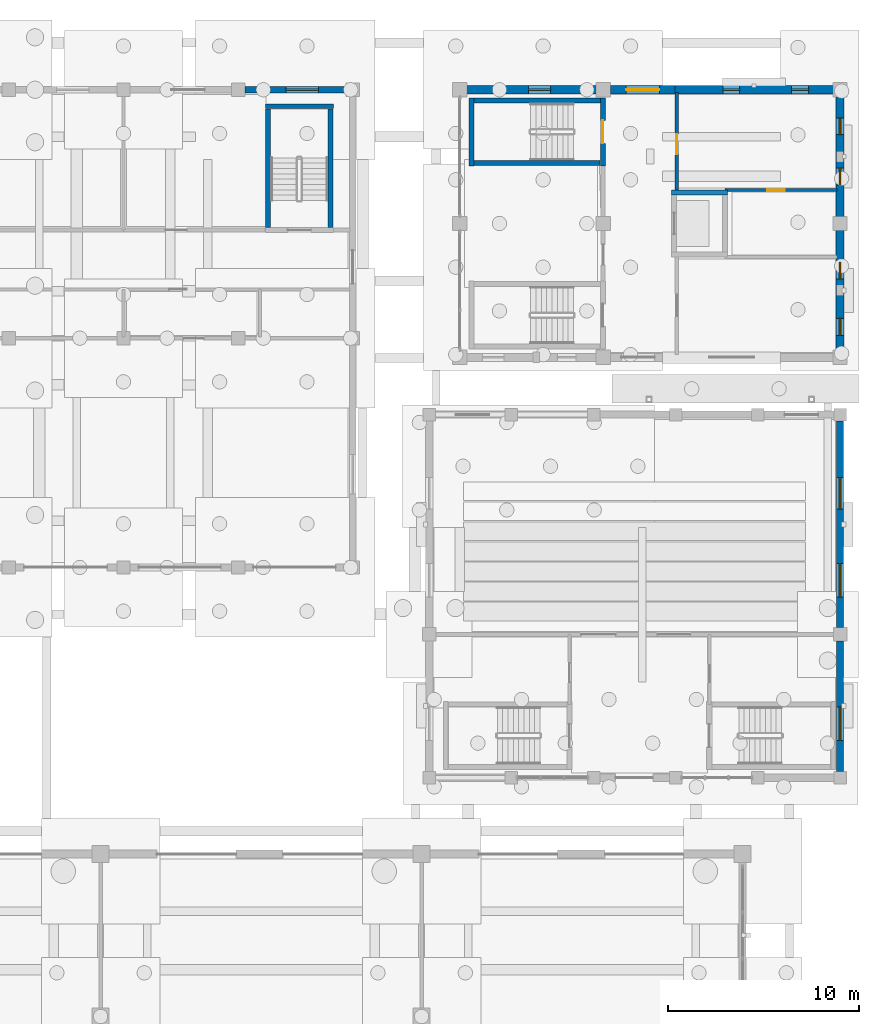
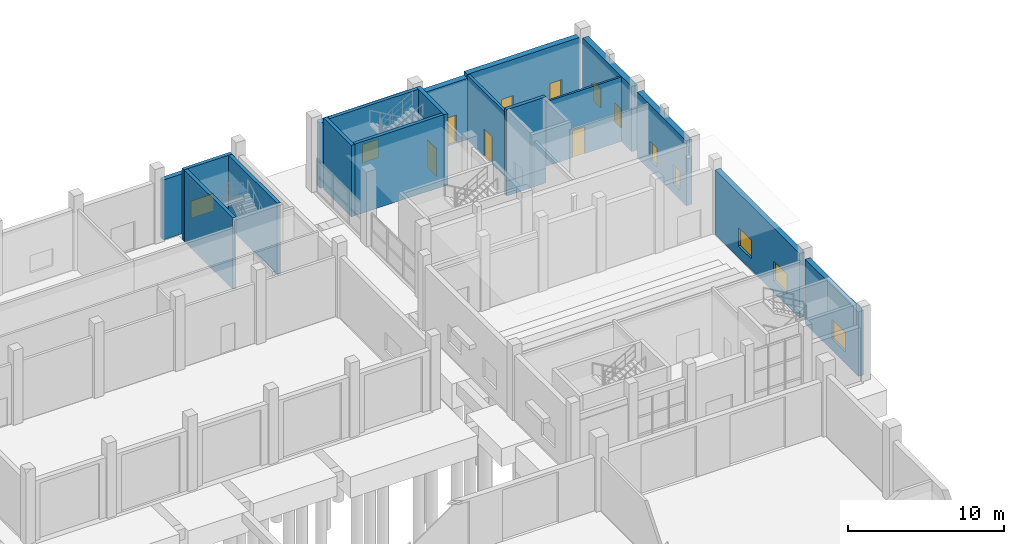
# One storey, part 44 of 60: 19 walls, 11 windows, 4 doors, 15 openings.
"""IFC4 building model written with IfcOpenShell, lengths in metres."""

from ifc_helpers import new_model, si_unit, direction, frame, frame_2d, origin, place, context, subcontext, project, spatial, rectangle, extrude, material, layer, layer_set, type_object, element, fill, save


model = new_model("IFC4")

# Units and contexts
model_context = context("Model", 3, precision=1e-05, world=origin(), true_north=direction((0.0, 1.0)))
body_context = subcontext(model_context, "Body", "Model", "MODEL_VIEW")
ifc_project = project(units=[si_unit("LENGTHUNIT", "METRE"), si_unit("AREAUNIT", "SQUARE_METRE"), si_unit("VOLUMEUNIT", "CUBIC_METRE"), si_unit("PLANEANGLEUNIT", "RADIAN"), si_unit("MASSUNIT", "GRAM", prefix="KILO")], contexts=[model_context])

# Site, building, storey
site_placement = place(None, origin())
site = spatial("IfcSite", under=ifc_project, at=site_placement, CompositionType="ELEMENT")
building_placement = place(site_placement, origin())
building = spatial("IfcBuilding", under=site, at=building_placement, Name="Trellovar Central Fire Station", CompositionType="ELEMENT")
storey_placement = place(building_placement, origin())
storey = spatial("IfcBuildingStorey", under=building, at=storey_placement, Name="L01", CompositionType="ELEMENT", Elevation=0.0)

# Wall, openings, windows
ifc_material_1 = material(Name="Catalan polychrome brickwork with insulated cavity", Category="masonry")
ifc_layer_1 = layer(ifc_material_1, 0.419921875)
ifc_layer_set_1 = layer_set([ifc_layer_1], Name="Catalan polychrome brickwork with insulated cavity")
wall_type_1 = type_object("IfcWallType", Name="EW-1", PredefinedType="STANDARD", material=ifc_layer_set_1)
wall_1_placement = place(storey_placement, frame((160.64990234375, 73.0, 0.0), z_axis=(0.0, 0.0, 1.0), x_axis=(-1.0, 0.0, 0.0)))
wall_1 = element("IfcWall", 1, at=wall_1_placement, inside=storey, type_object=wall_type_1, Name="V2 L01 north hose shaft wall", PredefinedType="STANDARD", context=body_context, shape_type="SweptSolid", body=[
    extrude(rectangle(XDim=8.2998046875, YDim=0.419921875, at=frame_2d((4.14990234375, 0.0))), origin(), (0.0, 0.0, 1.0), 5.10009765625),
])
opening_1_placement = place(wall_1_placement, frame((1.300048828125, 0.0, 0.75)))
opening_1 = element("IfcOpeningElement", 2, at=opening_1_placement, cuts=wall_1, Name="Opening W-07", PredefinedType="OPENING", context=body_context, shape_type="SweptSolid", body=[
    extrude(rectangle(XDim=0.8798828125, YDim=1.5, at=frame_2d((0.43994140625, 0.75))), frame((0.0, 0.219970703125, 0.0), z_axis=(0.0, -1.0, 0.0), x_axis=(1.0, 0.0, 0.0)), (0.0, 0.0, 1.0), 0.43994140625),
])
opening_2_placement = place(wall_1_placement, frame((4.89990234375, 0.0, 0.75)))
opening_2 = element("IfcOpeningElement", 3, at=opening_2_placement, cuts=wall_1, Name="Opening W-07", PredefinedType="OPENING", context=body_context, shape_type="SweptSolid", body=[
    extrude(rectangle(XDim=0.8798828125, YDim=1.5, at=frame_2d((0.43994140625, 0.75))), frame((0.0, 0.219970703125, 0.0), z_axis=(0.0, -1.0, 0.0), x_axis=(1.0, 0.0, 0.0)), (0.0, 0.0, 1.0), 0.43994140625),
])
ifc_material_2 = material(Name="Thermally broken bronze anodized aluminum", Category="aluminium")
window_type_1 = type_object("IfcWindowType", Name="WIN-07", PartitioningType="SINGLE_PANEL", PredefinedType="WINDOW", material=ifc_material_2)
window_1_placement = place(opening_1_placement, origin())
window_1 = element("IfcWindow", 4, at=window_1_placement, inside=storey, type_object=window_type_1, Name="V2 L01 hose drying ventilation lancet A", OverallHeight=1.5, OverallWidth=0.8798828125, PartitioningType="SINGLE_PANEL", PredefinedType="WINDOW", context=body_context, shape_type="SweptSolid", body=[
    extrude(rectangle(XDim=0.8798828125, YDim=1.5, at=frame_2d((0.43994140625, 0.75))), frame((0.0, 0.030029296875, 0.0), z_axis=(0.0, -1.0, 0.0), x_axis=(1.0, 0.0, 0.0)), (0.0, 0.0, 1.0), 0.06005859375),
])
fill(opening_1, window_1)
window_2_placement = place(opening_2_placement, origin())
window_2 = element("IfcWindow", 5, at=window_2_placement, inside=storey, type_object=window_type_1, Name="V2 L01 hose drying ventilation lancet B", OverallHeight=1.5, OverallWidth=0.8798828125, PartitioningType="SINGLE_PANEL", PredefinedType="WINDOW", context=body_context, shape_type="SweptSolid", body=[
    extrude(rectangle(XDim=0.8798828125, YDim=1.5, at=frame_2d((0.43994140625, 0.75))), frame((0.0, 0.030029296875, 0.0), z_axis=(0.0, -1.0, 0.0), x_axis=(1.0, 0.0, 0.0)), (0.0, 0.0, 1.0), 0.06005859375),
])
fill(opening_2, window_2)

# Wall, opening, door
wall_2_placement = place(storey_placement, frame((152.35009765625, 73.0, 0.0), z_axis=(0.0, 0.0, 1.0), x_axis=(-1.0, 0.0, 0.0)))
wall_2 = element("IfcWall", 6, at=wall_2_placement, inside=storey, type_object=wall_type_1, Name="V2 L01 north exit vestibule wall", PredefinedType="STANDARD", context=body_context, shape_type="SweptSolid", body=[
    extrude(rectangle(XDim=3.375, YDim=0.419921875, at=frame_2d((1.6875, 0.0))), origin(), (0.0, 0.0, 1.0), 4.800048828125),
])
opening_3_placement = place(wall_2_placement, frame((0.800048828125, 0.0, 0.0)))
opening_3 = element("IfcOpeningElement", 7, at=opening_3_placement, cuts=wall_2, Name="Opening EX-2", PredefinedType="OPENING", context=body_context, shape_type="SweptSolid", body=[
    extrude(rectangle(XDim=1.75, YDim=2.199951171875, at=frame_2d((0.875, 1.10009765625))), frame((0.0, 0.219970703125, 0.0), z_axis=(0.0, -1.0, 0.0), x_axis=(1.0, 0.0, 0.0)), (0.0, 0.0, 1.0), 0.43994140625),
])
ifc_material_3 = material(Name="Hollow galvanized steel with acoustic core", Category="steel")
door_type_1 = type_object("IfcDoorType", Name="DR-EXT2", OperationType="DOUBLE_DOOR_SINGLE_SWING", PredefinedType="DOOR", material=ifc_material_3)
door_1_placement = place(opening_3_placement, frame((1.75, 0.0, 0.0), z_axis=(0.0, 0.0, 1.0), x_axis=(-1.0, 0.0, 0.0)))
door_1 = element("IfcDoor", 8, at=door_1_placement, inside=storey, type_object=door_type_1, Name="Drill tower north yard exit door", OperationType="DOUBLE_DOOR_SINGLE_SWING", OverallHeight=2.199951171875, OverallWidth=1.75, PredefinedType="DOOR", context=body_context, shape_type="SweptSolid", body=[
    extrude(rectangle(XDim=1.75, YDim=2.199951171875, at=frame_2d((0.875, 1.10009765625))), frame((0.0, 0.02490234375, 0.0), z_axis=(0.0, -1.0, 0.0), x_axis=(1.0, 0.0, 0.0)), (0.0, 0.0, 1.0), 0.050048828125),
])
fill(opening_3, door_1)

# Wall, opening, window
wall_3_placement = place(storey_placement, frame((148.25, 73.0, 0.0), z_axis=(0.0, 0.0, 1.0), x_axis=(-1.0, 0.0, 0.0)))
wall_3 = element("IfcWall", 9, at=wall_3_placement, inside=storey, type_object=wall_type_1, Name="V2 L01 north stair bay wall", PredefinedType="STANDARD", context=body_context, shape_type="SweptSolid", body=[
    extrude(rectangle(XDim=6.800048828125, YDim=0.419921875, at=frame_2d((3.39990234375, 0.0))), origin(), (0.0, 0.0, 1.0), 5.10009765625),
])
opening_4_placement = place(wall_3_placement, frame((2.39990234375, 0.0, 0.75)))
opening_4 = element("IfcOpeningElement", 10, at=opening_4_placement, cuts=wall_3, Name="Opening W-01", PredefinedType="OPENING", context=body_context, shape_type="SweptSolid", body=[
    extrude(rectangle(XDim=1.14990234375, YDim=1.449951171875, at=frame_2d((0.574951171875, 0.72509765625))), frame((0.0, 0.219970703125, 0.0), z_axis=(0.0, -1.0, 0.0), x_axis=(1.0, 0.0, 0.0)), (0.0, 0.0, 1.0), 0.43994140625),
])
ifc_material_4 = material(Name="Thermally broken bronze anodized aluminum", Category="aluminium")
window_type_2 = type_object("IfcWindowType", Name="WIN-01", PartitioningType="SINGLE_PANEL", PredefinedType="WINDOW", material=ifc_material_4)
window_3_placement = place(opening_4_placement, origin())
window_3 = element("IfcWindow", 11, at=window_3_placement, inside=storey, type_object=window_type_2, Name="L01 window W-01", OverallHeight=1.449951171875, OverallWidth=1.14990234375, PartitioningType="SINGLE_PANEL", PredefinedType="WINDOW", context=body_context, shape_type="SweptSolid", body=[
    extrude(rectangle(XDim=1.14990234375, YDim=1.449951171875, at=frame_2d((0.574951171875, 0.72509765625))), frame((0.0, 0.030029296875, 0.0), z_axis=(0.0, -1.0, 0.0), x_axis=(1.0, 0.0, 0.0)), (0.0, 0.0, 1.0), 0.06005859375),
])
fill(opening_4, window_3)

# Wall, openings, windows
wall_4_placement = place(storey_placement, frame((161.0, 59.35009765625, 0.0), z_axis=(0.0, 0.0, 1.0), x_axis=(0.0, 1.0, 0.0)))
wall_4 = element("IfcWall", 12, at=wall_4_placement, inside=storey, type_object=wall_type_1, Name="V2 L01 east avenue wall", PredefinedType="STANDARD", context=body_context, shape_type="SweptSolid", body=[
    extrude(rectangle(XDim=6.2998046875, YDim=0.419921875, at=frame_2d((3.14990234375, 0.0))), origin(), (0.0, 0.0, 1.0), 5.10009765625),
])
opening_5_placement = place(wall_4_placement, frame((0.800048828125, 0.0, 0.75)))
opening_5 = element("IfcOpeningElement", 13, at=opening_5_placement, cuts=wall_4, Name="Opening W-07", PredefinedType="OPENING", context=body_context, shape_type="SweptSolid", body=[
    extrude(rectangle(XDim=0.8798828125, YDim=1.5, at=frame_2d((0.43994140625, 0.75))), frame((0.0, 0.219970703125, 0.0), z_axis=(0.0, -1.0, 0.0), x_axis=(1.0, 0.0, 0.0)), (0.0, 0.0, 1.0), 0.43994140625),
])
opening_6_placement = place(wall_4_placement, frame((3.75, 0.0, 0.75)))
opening_6 = element("IfcOpeningElement", 14, at=opening_6_placement, cuts=wall_4, Name="Opening W-07", PredefinedType="OPENING", context=body_context, shape_type="SweptSolid", body=[
    extrude(rectangle(XDim=0.8798828125, YDim=1.5, at=frame_2d((0.43994140625, 0.75))), frame((0.0, 0.219970703125, 0.0), z_axis=(0.0, -1.0, 0.0), x_axis=(1.0, 0.0, 0.0)), (0.0, 0.0, 1.0), 0.43994140625),
])
window_4_placement = place(opening_5_placement, origin())
window_4 = element("IfcWindow", 15, at=window_4_placement, inside=storey, type_object=window_type_1, Name="L01 window W-07", OverallHeight=1.5, OverallWidth=0.8798828125, PartitioningType="SINGLE_PANEL", PredefinedType="WINDOW", context=body_context, shape_type="SweptSolid", body=[
    extrude(rectangle(XDim=0.8798828125, YDim=1.5, at=frame_2d((0.43994140625, 0.75))), frame((0.0, 0.030029296875, 0.0), z_axis=(0.0, -1.0, 0.0), x_axis=(1.0, 0.0, 0.0)), (0.0, 0.0, 1.0), 0.06005859375),
])
fill(opening_5, window_4)
window_5_placement = place(opening_6_placement, origin())
window_5 = element("IfcWindow", 16, at=window_5_placement, inside=storey, type_object=window_type_1, Name="L01 window W-07", OverallHeight=1.5, OverallWidth=0.8798828125, PartitioningType="SINGLE_PANEL", PredefinedType="WINDOW", context=body_context, shape_type="SweptSolid", body=[
    extrude(rectangle(XDim=0.8798828125, YDim=1.5, at=frame_2d((0.43994140625, 0.75))), frame((0.0, 0.030029296875, 0.0), z_axis=(0.0, -1.0, 0.0), x_axis=(1.0, 0.0, 0.0)), (0.0, 0.0, 1.0), 0.06005859375),
])
fill(opening_6, window_5)

wall_5_placement = place(storey_placement, frame((161.0, 66.35009765625, 0.0), z_axis=(0.0, 0.0, 1.0), x_axis=(0.0, 1.0, 0.0)))
wall_5 = element("IfcWall", 17, at=wall_5_placement, inside=storey, type_object=wall_type_1, Name="V2 L01 east avenue wall", PredefinedType="STANDARD", context=body_context, shape_type="SweptSolid", body=[
    extrude(rectangle(XDim=6.2998046875, YDim=0.419921875, at=frame_2d((3.14990234375, 0.0))), origin(), (0.0, 0.0, 1.0), 5.10009765625),
])
opening_7_placement = place(wall_5_placement, frame((1.669921875, 0.0, 0.75)))
opening_7 = element("IfcOpeningElement", 18, at=opening_7_placement, cuts=wall_5, Name="Opening W-07", PredefinedType="OPENING", context=body_context, shape_type="SweptSolid", body=[
    extrude(rectangle(XDim=0.8798828125, YDim=1.5, at=frame_2d((0.43994140625, 0.75))), frame((0.0, 0.219970703125, 0.0), z_axis=(0.0, -1.0, 0.0), x_axis=(1.0, 0.0, 0.0)), (0.0, 0.0, 1.0), 0.43994140625),
])
opening_8_placement = place(wall_5_placement, frame((4.300048828125, 0.0, 0.75)))
opening_8 = element("IfcOpeningElement", 19, at=opening_8_placement, cuts=wall_5, Name="Opening W-07", PredefinedType="OPENING", context=body_context, shape_type="SweptSolid", body=[
    extrude(rectangle(XDim=0.8798828125, YDim=1.5, at=frame_2d((0.43994140625, 0.75))), frame((0.0, 0.219970703125, 0.0), z_axis=(0.0, -1.0, 0.0), x_axis=(1.0, 0.0, 0.0)), (0.0, 0.0, 1.0), 0.43994140625),
])
window_6_placement = place(opening_7_placement, origin())
window_6 = element("IfcWindow", 20, at=window_6_placement, inside=storey, type_object=window_type_1, Name="L01 window W-07", OverallHeight=1.5, OverallWidth=0.8798828125, PartitioningType="SINGLE_PANEL", PredefinedType="WINDOW", context=body_context, shape_type="SweptSolid", body=[
    extrude(rectangle(XDim=0.8798828125, YDim=1.5, at=frame_2d((0.43994140625, 0.75))), frame((0.0, 0.030029296875, 0.0), z_axis=(0.0, -1.0, 0.0), x_axis=(1.0, 0.0, 0.0)), (0.0, 0.0, 1.0), 0.06005859375),
])
fill(opening_7, window_6)
window_7_placement = place(opening_8_placement, origin())
window_7 = element("IfcWindow", 21, at=window_7_placement, inside=storey, type_object=window_type_1, Name="L01 window W-07", OverallHeight=1.5, OverallWidth=0.8798828125, PartitioningType="SINGLE_PANEL", PredefinedType="WINDOW", context=body_context, shape_type="SweptSolid", body=[
    extrude(rectangle(XDim=0.8798828125, YDim=1.5, at=frame_2d((0.43994140625, 0.75))), frame((0.0, 0.030029296875, 0.0), z_axis=(0.0, -1.0, 0.0), x_axis=(1.0, 0.0, 0.0)), (0.0, 0.0, 1.0), 0.06005859375),
])
fill(opening_8, window_7)

# Wall, opening, window
ifc_material_5 = material(Name="Catalan polychrome brickwork with insulated cavity", Category="masonry")
ifc_layer_2 = layer(ifc_material_5, 0.3798828125)
ifc_layer_set_2 = layer_set([ifc_layer_2], Name="Catalan polychrome brickwork with insulated cavity")
wall_type_2 = type_object("IfcWallType", Name="EW-2", PredefinedType="STANDARD", material=ifc_layer_set_2)
wall_6_placement = place(storey_placement, frame((161.0, 37.324951171875, 0.0), z_axis=(0.0, 0.0, 1.0), x_axis=(0.0, 1.0, 0.0)))
wall_6 = element("IfcWall", 22, at=wall_6_placement, inside=storey, type_object=wall_type_2, Name="V3 L01 E wall", PredefinedType="STANDARD", context=body_context, shape_type="SweptSolid", body=[
    extrude(rectangle(XDim=6.824951171875, YDim=0.3798828125, at=frame_2d((3.41259765625, 0.0))), origin(), (0.0, 0.0, 1.0), 5.050048828125),
])
opening_9_placement = place(wall_6_placement, frame((1.625, 0.0, 0.89990234375)))
opening_9 = element("IfcOpeningElement", 23, at=opening_9_placement, cuts=wall_6, Name="Opening W-03", PredefinedType="OPENING", context=body_context, shape_type="SweptSolid", body=[
    extrude(rectangle(XDim=1.75, YDim=1.550048828125, at=frame_2d((0.875, 0.77490234375))), frame((0.0, 0.199951171875, 0.0), z_axis=(0.0, -1.0, 0.0), x_axis=(1.0, 0.0, 0.0)), (0.0, 0.0, 1.0), 0.39990234375),
])
ifc_material_6 = material(Name="Thermally broken bronze anodized aluminum", Category="aluminium")
window_type_3 = type_object("IfcWindowType", Name="WIN-03", PartitioningType="DOUBLE_PANEL_VERTICAL", PredefinedType="WINDOW", material=ifc_material_6)
window_8_placement = place(opening_9_placement, origin())
window_8 = element("IfcWindow", 24, at=window_8_placement, inside=storey, type_object=window_type_3, Name="L01 window W-03", OverallHeight=1.550048828125, OverallWidth=1.75, PartitioningType="DOUBLE_PANEL_VERTICAL", PredefinedType="WINDOW", context=body_context, shape_type="SweptSolid", body=[
    extrude(rectangle(XDim=1.75, YDim=1.550048828125, at=frame_2d((0.875, 0.77490234375))), frame((0.0, 0.030029296875, 0.0), z_axis=(0.0, -1.0, 0.0), x_axis=(1.0, 0.0, 0.0)), (0.0, 0.0, 1.0), 0.06005859375),
])
fill(opening_9, window_8)

# Wall, openings, windows
wall_7_placement = place(storey_placement, frame((161.0, 44.85009765625, 0.0), z_axis=(0.0, 0.0, 1.0), x_axis=(0.0, 1.0, 0.0)))
wall_7 = element("IfcWall", 25, at=wall_7_placement, inside=storey, type_object=wall_type_2, Name="V3 L01 E wall", PredefinedType="STANDARD", context=body_context, shape_type="SweptSolid", body=[
    extrude(rectangle(XDim=10.824951171875, YDim=0.3798828125, at=frame_2d((5.41259765625, 0.0))), origin(), (0.0, 0.0, 1.0), 5.050048828125),
])
opening_10_placement = place(wall_7_placement, frame((1.60009765625, 0.0, 0.89990234375)))
opening_10 = element("IfcOpeningElement", 26, at=opening_10_placement, cuts=wall_7, Name="Opening W-03", PredefinedType="OPENING", context=body_context, shape_type="SweptSolid", body=[
    extrude(rectangle(XDim=1.75, YDim=1.550048828125, at=frame_2d((0.875, 0.77490234375))), frame((0.0, 0.199951171875, 0.0), z_axis=(0.0, -1.0, 0.0), x_axis=(1.0, 0.0, 0.0)), (0.0, 0.0, 1.0), 0.39990234375),
])
opening_11_placement = place(wall_7_placement, frame((6.199951171875, 0.0, 0.89990234375)))
opening_11 = element("IfcOpeningElement", 27, at=opening_11_placement, cuts=wall_7, Name="Opening W-12", PredefinedType="OPENING", context=body_context, shape_type="SweptSolid", body=[
    extrude(rectangle(XDim=1.64990234375, YDim=1.449951171875, at=frame_2d((0.824951171875, 0.72509765625))), frame((0.0, 0.199951171875, 0.0), z_axis=(0.0, -1.0, 0.0), x_axis=(1.0, 0.0, 0.0)), (0.0, 0.0, 1.0), 0.39990234375),
])
window_9_placement = place(opening_10_placement, origin())
window_9 = element("IfcWindow", 28, at=window_9_placement, inside=storey, type_object=window_type_3, Name="L01 window W-03", OverallHeight=1.550048828125, OverallWidth=1.75, PartitioningType="DOUBLE_PANEL_VERTICAL", PredefinedType="WINDOW", context=body_context, shape_type="SweptSolid", body=[
    extrude(rectangle(XDim=1.75, YDim=1.550048828125, at=frame_2d((0.875, 0.77490234375))), frame((0.0, 0.030029296875, 0.0), z_axis=(0.0, -1.0, 0.0), x_axis=(1.0, 0.0, 0.0)), (0.0, 0.0, 1.0), 0.06005859375),
])
fill(opening_10, window_9)
ifc_material_7 = material(Name="Thermally broken bronze anodized aluminum", Category="aluminium")
window_type_4 = type_object("IfcWindowType", Name="WIN-12", PartitioningType="DOUBLE_PANEL_VERTICAL", PredefinedType="WINDOW", material=ifc_material_7)
window_10_placement = place(opening_11_placement, origin())
window_10 = element("IfcWindow", 29, at=window_10_placement, inside=storey, type_object=window_type_4, Name="L01 window W-12", OverallHeight=1.449951171875, OverallWidth=1.64990234375, PartitioningType="DOUBLE_PANEL_VERTICAL", PredefinedType="WINDOW", context=body_context, shape_type="SweptSolid", body=[
    extrude(rectangle(XDim=1.64990234375, YDim=1.449951171875, at=frame_2d((0.824951171875, 0.72509765625))), frame((0.0, 0.030029296875, 0.0), z_axis=(0.0, -1.0, 0.0), x_axis=(1.0, 0.0, 0.0)), (0.0, 0.0, 1.0), 0.06005859375),
])
fill(opening_11, window_10)

# Wall, opening, window
ifc_material_8 = material(Name="Textured desert sandstone masonry", Category="masonry")
ifc_layer_3 = layer(ifc_material_8, 0.340087890625)
ifc_layer_set_3 = layer_set([ifc_layer_3], Name="Textured desert sandstone masonry")
wall_type_3 = type_object("IfcWallType", Name="EW-3", PredefinedType="STANDARD", material=ifc_layer_set_3)
wall_8_placement = place(storey_placement, frame((135.14990234375, 73.0, 0.0), z_axis=(0.0, 0.0, 1.0), x_axis=(-1.0, 0.0, 0.0)))
wall_8 = element("IfcWall", 30, at=wall_8_placement, inside=storey, type_object=wall_type_3, Name="V6 L01 north wall 5", PredefinedType="STANDARD", context=body_context, shape_type="SweptSolid", body=[
    extrude(rectangle(XDim=5.2998046875, YDim=0.340087890625, at=frame_2d((2.64990234375, 0.0))), origin(), (0.0, 0.0, 1.0), 4.677978515625),
])
opening_12_placement = place(wall_8_placement, frame((1.449951171875, 0.0, 0.85009765625)))
opening_12 = element("IfcOpeningElement", 31, at=opening_12_placement, cuts=wall_8, Name="Opening W-19", PredefinedType="OPENING", context=body_context, shape_type="SweptSolid", body=[
    extrude(rectangle(XDim=1.699951171875, YDim=1.35009765625, at=frame_2d((0.85009765625, 0.675048828125))), frame((0.0, 0.179931640625, 0.0), z_axis=(0.0, -1.0, 0.0), x_axis=(1.0, 0.0, 0.0)), (0.0, 0.0, 1.0), 0.360107421875),
])
ifc_material_9 = material(Name="Thermally broken bronze anodized aluminum", Category="aluminium")
window_type_5 = type_object("IfcWindowType", Name="WIN-19", PartitioningType="DOUBLE_PANEL_HORIZONTAL", PredefinedType="WINDOW", material=ifc_material_9)
window_11_placement = place(opening_12_placement, origin())
window_11 = element("IfcWindow", 32, at=window_11_placement, inside=storey, type_object=window_type_5, Name="L01 window W-19", OverallHeight=1.35009765625, OverallWidth=1.699951171875, PartitioningType="DOUBLE_PANEL_HORIZONTAL", PredefinedType="WINDOW", context=body_context, shape_type="SweptSolid", body=[
    extrude(rectangle(XDim=1.699951171875, YDim=1.35009765625, at=frame_2d((0.85009765625, 0.675048828125))), frame((0.0, 0.030029296875, 0.0), z_axis=(0.0, -1.0, 0.0), x_axis=(1.0, 0.0, 0.0)), (0.0, 0.0, 1.0), 0.06005859375),
])
fill(opening_12, window_11)

# Wall, opening, door
ifc_material_10 = material(Name="Acoustic concrete masonry unit", Category="masonry")
ifc_layer_4 = layer(ifc_material_10, 0.199951171875)
ifc_layer_set_4 = layer_set([ifc_layer_4], Name="Acoustic concrete masonry unit")
wall_type_4 = type_object("IfcWallType", Name="PT-1", PredefinedType="PARTITIONING", material=ifc_layer_set_4)
wall_9_placement = place(storey_placement, frame((152.449951171875, 67.6298828125, 0.0), z_axis=(0.0, 0.0, 1.0), x_axis=(0.0, 1.0, 0.0)))
wall_9 = element("IfcWall", 33, at=wall_9_placement, inside=storey, type_object=wall_type_4, Name="V2 L01 north hose gallery wall", PredefinedType="PARTITIONING", context=body_context, shape_type="SweptSolid", body=[
    extrude(rectangle(XDim=5.22021484375, YDim=0.199951171875, at=frame_2d((2.610107421875, 0.0))), origin(), (0.0, 0.0, 1.0), 5.050048828125),
])
opening_13_placement = place(wall_9_placement, frame((2.0, 0.0, 0.0)))
opening_13 = element("IfcOpeningElement", 34, at=opening_13_placement, cuts=wall_9, Name="Opening ID-5", PredefinedType="OPENING", context=body_context, shape_type="SweptSolid", body=[
    extrude(rectangle(XDim=1.050048828125, YDim=2.139892578125, at=frame_2d((0.52490234375, 1.06982421875))), frame((0.0, 0.10986328125, 0.0), z_axis=(0.0, -1.0, 0.0), x_axis=(1.0, 0.0, 0.0)), (0.0, 0.0, 1.0), 0.219970703125),
])
ifc_material_11 = material(Name="Hollow galvanized steel with acoustic core", Category="steel")
door_type_2 = type_object("IfcDoorType", Name="DR-INT5", OperationType="SINGLE_SWING_LEFT", PredefinedType="DOOR", material=ifc_material_11)
door_2_placement = place(opening_13_placement, origin())
door_2 = element("IfcDoor", 35, at=door_2_placement, inside=storey, type_object=door_type_2, Name="V2 L01 north hose gallery door", OperationType="SINGLE_SWING_LEFT", OverallHeight=2.139892578125, OverallWidth=1.050048828125, PredefinedType="DOOR", context=body_context, shape_type="SweptSolid", body=[
    extrude(rectangle(XDim=1.050048828125, YDim=2.139892578125, at=frame_2d((0.52490234375, 1.06982421875))), frame((0.0, 0.02490234375, 0.0), z_axis=(0.0, -1.0, 0.0), x_axis=(1.0, 0.0, 0.0)), (0.0, 0.0, 1.0), 0.050048828125),
])
fill(opening_13, door_2)

ifc_material_12 = material(Name="Fire-rated acoustic gypsum stud partition", Category="gypsum")
ifc_layer_5 = layer(ifc_material_12, 0.14990234375)
ifc_layer_set_5 = layer_set([ifc_layer_5], Name="Fire-rated acoustic gypsum stud partition")
wall_type_5 = type_object("IfcWallType", Name="PT-6", PredefinedType="PARTITIONING", material=ifc_layer_set_5)
wall_10_placement = place(storey_placement, frame((154.97998046875, 67.75, 0.0), z_axis=(0.0, 0.0, 1.0), x_axis=(1.0, 0.0, 0.0)))
wall_10 = element("IfcWall", 36, at=wall_10_placement, inside=storey, type_object=wall_type_5, Name="V2 L01 restroom north wall", PredefinedType="PARTITIONING", context=body_context, shape_type="SweptSolid", body=[
    extrude(rectangle(XDim=5.8701171875, YDim=0.14990234375, at=frame_2d((2.93505859375, 0.0))), origin(), (0.0, 0.0, 1.0), 5.050048828125),
])
opening_14_placement = place(wall_10_placement, frame((2.199951171875, 0.0, 0.0)))
opening_14 = element("IfcOpeningElement", 37, at=opening_14_placement, cuts=wall_10, Name="Opening ID-6", PredefinedType="OPENING", context=body_context, shape_type="SweptSolid", body=[
    extrude(rectangle(XDim=0.919921875, YDim=2.10009765625, at=frame_2d((0.4599609375, 1.050048828125))), frame((0.0, 0.0849609375, 0.0), z_axis=(0.0, -1.0, 0.0), x_axis=(1.0, 0.0, 0.0)), (0.0, 0.0, 1.0), 0.169921875),
])
ifc_material_13 = material(Name="Solid core acoustic white oak veneer", Category="wood")
door_type_3 = type_object("IfcDoorType", Name="DR-INT6", OperationType="SINGLE_SWING_LEFT", PredefinedType="DOOR", material=ifc_material_13)
door_3_placement = place(opening_14_placement, origin())
door_3 = element("IfcDoor", 38, at=door_3_placement, inside=storey, type_object=door_type_3, Name="V2 L01 restroom door", OperationType="SINGLE_SWING_RIGHT", OverallHeight=2.10009765625, OverallWidth=0.919921875, PredefinedType="DOOR", context=body_context, shape_type="SweptSolid", body=[
    extrude(rectangle(XDim=0.919921875, YDim=2.10009765625, at=frame_2d((0.4599609375, 1.050048828125))), frame((0.0, 0.02490234375, 0.0), z_axis=(0.0, -1.0, 0.0), x_axis=(1.0, 0.0, 0.0)), (0.0, 0.0, 1.0), 0.050048828125),
])
fill(opening_14, door_3)

ifc_material_14 = material(Name="Concrete C40/50", Category="concrete")
ifc_layer_6 = layer(ifc_material_14, 0.280029296875)
ifc_layer_set_6 = layer_set([ifc_layer_6], Name="Concrete C40/50")
wall_type_6 = type_object("IfcWallType", Name="SW-1", PredefinedType="SHEAR", material=ifc_layer_set_6)
wall_11_placement = place(storey_placement, frame((148.590087890625, 72.580078125, 0.0), z_axis=(0.0, 0.0, 1.0), x_axis=(0.0, -1.0, 0.0)))
wall_11 = element("IfcWall", 39, at=wall_11_placement, inside=storey, type_object=wall_type_6, Name="Stair ST-06 L01 front corridor wall", PredefinedType="SHEAR", context=body_context, shape_type="SweptSolid", body=[
    extrude(rectangle(XDim=3.56005859375, YDim=0.280029296875, at=frame_2d((1.780029296875, 0.0))), origin(), (0.0, 0.0, 1.0), 5.60009765625),
])
opening_15_placement = place(wall_11_placement, frame((1.179931640625, 0.0, 0.0)))
opening_15 = element("IfcOpeningElement", 40, at=opening_15_placement, cuts=wall_11, Name="Opening SD-1", PredefinedType="OPENING", context=body_context, shape_type="SweptSolid", body=[
    extrude(rectangle(XDim=1.199951171875, YDim=2.14990234375, at=frame_2d((0.60009765625, 1.074951171875))), frame((0.0, 0.14990234375, 0.0), z_axis=(0.0, -1.0, 0.0), x_axis=(1.0, 0.0, 0.0)), (0.0, 0.0, 1.0), 0.300048828125),
])
ifc_material_15 = material(Name="Hollow galvanized steel with acoustic core", Category="steel")
door_type_4 = type_object("IfcDoorType", Name="DR-STR1", OperationType="SINGLE_SWING_LEFT", PredefinedType="DOOR", material=ifc_material_15)
door_4_placement = place(opening_15_placement, origin())
door_4 = element("IfcDoor", 41, at=door_4_placement, inside=storey, type_object=door_type_4, Name="Stair ST-06 L01 fire door", OperationType="SINGLE_SWING_LEFT", OverallHeight=2.14990234375, OverallWidth=1.199951171875, PredefinedType="DOOR", context=body_context, shape_type="SweptSolid", body=[
    extrude(rectangle(XDim=1.199951171875, YDim=2.14990234375, at=frame_2d((0.60009765625, 1.074951171875))), frame((0.0, 0.02490234375, 0.0), z_axis=(0.0, -1.0, 0.0), x_axis=(1.0, 0.0, 0.0)), (0.0, 0.0, 1.0), 0.050048828125),
])
fill(opening_15, door_4)

# Walls
ifc_material_16 = material(Name="Concrete C40/50", Category="concrete")
ifc_layer_7 = layer(ifc_material_16, 0.25)
ifc_layer_set_7 = layer_set([ifc_layer_7], Name="Concrete C40/50")
wall_type_7 = type_object("IfcWallType", Name="SW-2", PredefinedType="SHEAR", material=ifc_layer_set_7)
wall_12_placement = place(storey_placement, frame((141.7099609375, 69.02001953125, 0.0), z_axis=(0.0, 0.0, 1.0), x_axis=(0.0, 1.0, 0.0)))
element("IfcWall", 42, at=wall_12_placement, inside=storey, type_object=wall_type_7, Name="Stair ST-06 L01 rear wall", PredefinedType="SHEAR", context=body_context, shape_type="SweptSolid", body=[
    extrude(rectangle(XDim=3.56005859375, YDim=0.25, at=frame_2d((1.780029296875, 0.0))), origin(), (0.0, 0.0, 1.0), 5.60009765625),
])
for number, where, z_axis, x_axis, name in (
    (43, (148.449951171875, 72.43994140625, 0.0), (0.0, 0.0, 1.0), (-1.0, 0.0, 0.0), "Stair ST-06 L01 left wall"),
    (44, (141.85009765625, 69.159912109375, 0.0), (0.0, 0.0, 1.0), (1.0, 0.0, 0.0), "Stair ST-06 L01 right wall"),
):
    element("IfcWall", number, at=place(storey_placement, frame(where, z_axis=z_axis, x_axis=x_axis)), inside=storey, type_object=wall_type_7, Name=name, PredefinedType="SHEAR", context=body_context, shape_type="SweptSolid", body=[
        extrude(rectangle(XDim=6.599853515625, YDim=0.25, at=frame_2d((3.2998046875, 0.0))), origin(), (0.0, 0.0, 1.0), 5.60009765625),
    ])
wall_13_placement = place(storey_placement, frame((130.919921875, 72.139892578125, 0.0), z_axis=(0.0, 0.0, 1.0), x_axis=(1.0, 0.0, 0.0)))
element("IfcWall", 45, at=wall_13_placement, inside=storey, type_object=wall_type_7, Name="Stair ST-08 L01 rear wall", PredefinedType="SHEAR", context=body_context, shape_type="SweptSolid", body=[
    extrude(rectangle(XDim=3.56005859375, YDim=0.25, at=frame_2d((1.780029296875, 0.0))), origin(), (0.0, 0.0, 1.0), 5.60009765625),
])
for number, where, z_axis, x_axis, name in (
    (46, (134.340087890625, 65.800048828125, 0.0), (0.0, 0.0, 1.0), (0.0, 1.0, 0.0), "Stair ST-08 L01 left wall"),
    (47, (131.06005859375, 72.0, 0.0), (0.0, 0.0, 1.0), (0.0, -1.0, 0.0), "Stair ST-08 L01 right wall"),
):
    element("IfcWall", number, at=place(storey_placement, frame(where, z_axis=z_axis, x_axis=x_axis)), inside=storey, type_object=wall_type_7, Name=name, PredefinedType="SHEAR", context=body_context, shape_type="SweptSolid", body=[
        extrude(rectangle(XDim=6.199951171875, YDim=0.25, at=frame_2d((3.10009765625, 0.0))), origin(), (0.0, 0.0, 1.0), 5.60009765625),
    ])
ifc_material_17 = material(Name="Concrete C40/50", Category="concrete")
ifc_layer_8 = layer(ifc_material_17, 0.260009765625)
ifc_layer_set_8 = layer_set([ifc_layer_8], Name="Concrete C40/50")
wall_type_8 = type_object("IfcWallType", Name="SW-4", PredefinedType="SHEAR", material=ifc_layer_set_8)
wall_14_placement = place(storey_placement, frame((155.110107421875, 67.6298828125, -1.14990234375), z_axis=(0.0, 0.0, 1.0), x_axis=(-1.0, 0.0, 0.0)))
element("IfcWall", 48, at=wall_14_placement, inside=storey, type_object=wall_type_8, Name="Lift EL-04 pit wall N", PredefinedType="SHEAR", context=body_context, shape_type="SweptSolid", body=[
    extrude(rectangle(XDim=2.920166015625, YDim=0.260009765625, at=frame_2d((1.4599609375, 0.0))), origin(), (0.0, 0.0, 1.0), 1.14990234375),
])
wall_15_placement = place(storey_placement, frame((155.110107421875, 67.6298828125, 0.0), z_axis=(0.0, 0.0, 1.0), x_axis=(-1.0, 0.0, 0.0)))
element("IfcWall", 49, at=wall_15_placement, inside=storey, type_object=wall_type_8, Name="Lift EL-04 L01 N wall", PredefinedType="SHEAR", context=body_context, shape_type="SweptSolid", body=[
    extrude(rectangle(XDim=2.920166015625, YDim=0.260009765625, at=frame_2d((1.4599609375, 0.0))), origin(), (0.0, 0.0, 1.0), 5.60009765625),
])

save(model, "model.ifc")
